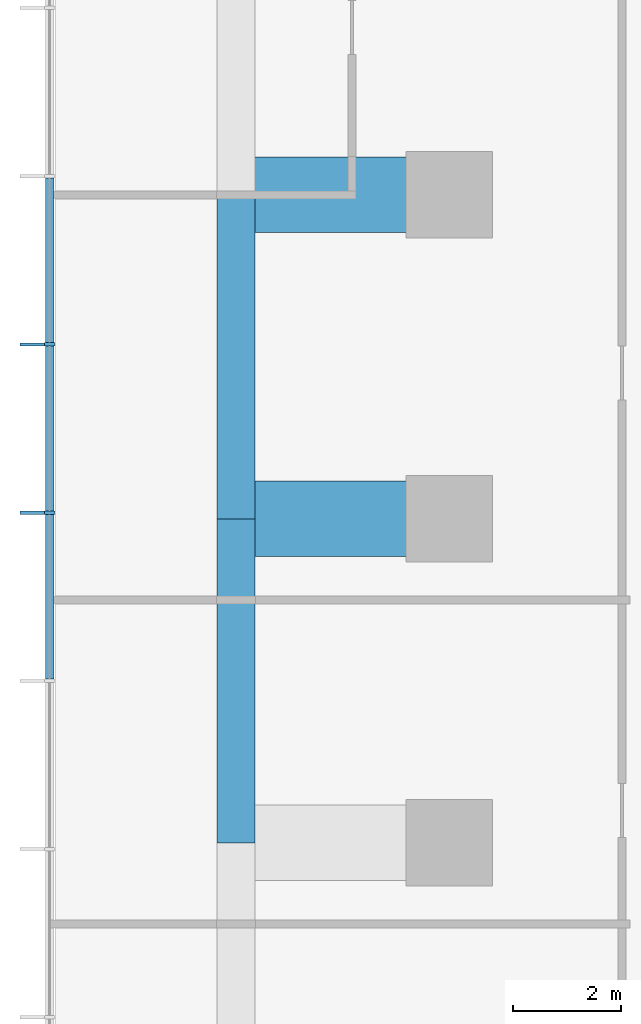
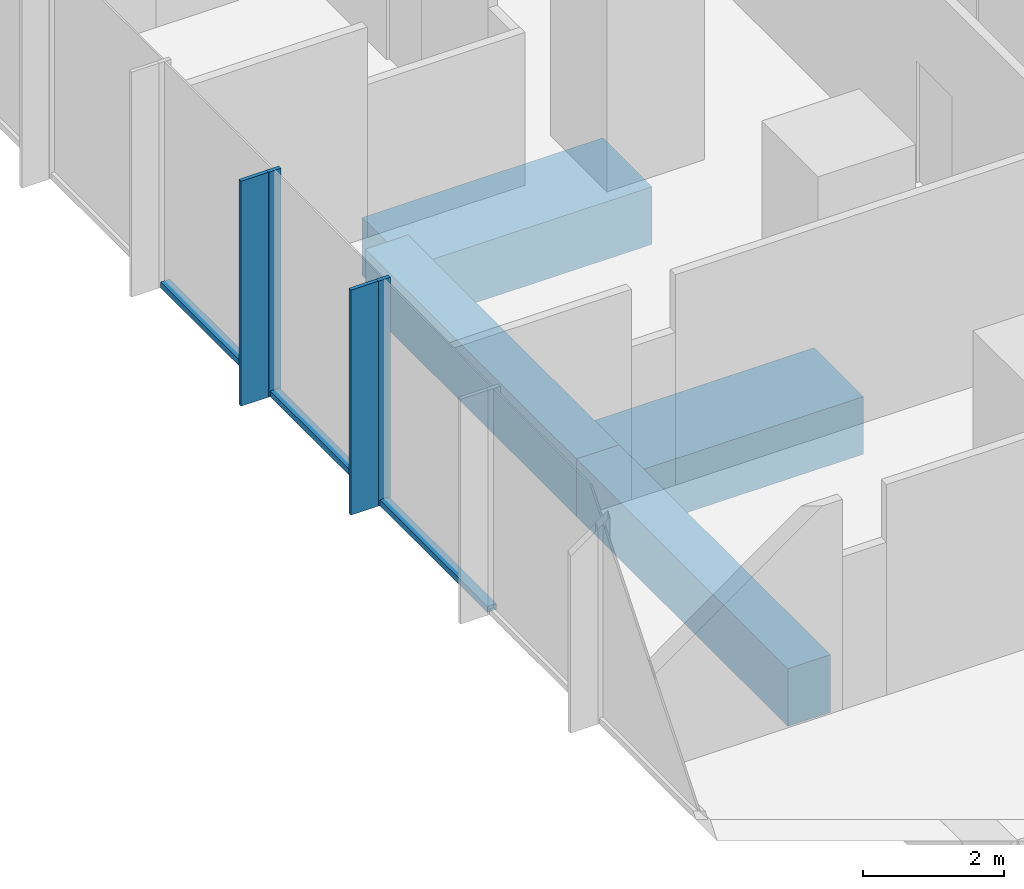
# One storey, part 3 of 11: 7 members, 4 beams, 1 element without a shape of its own.
"""IFC4 building model written with IfcOpenShell, lengths in metres."""

from ifc_helpers import new_model, si_unit, direction, frame, origin, origin_2d, place, context, subcontext, project, spatial, rectangle, extrude, material, layer, layer_set, material_profile, profile_set, type_object, element, aggregate, save


model = new_model("IFC4")

# Units and contexts
model_context = context("Model", 3, precision=1e-05, world=origin(), true_north=direction((0.0, 1.0)))
body_context = subcontext(model_context, "Body", "Model", "MODEL_VIEW")
ifc_project = project(units=[si_unit("LENGTHUNIT", "METRE"), si_unit("AREAUNIT", "SQUARE_METRE"), si_unit("VOLUMEUNIT", "CUBIC_METRE"), si_unit("PLANEANGLEUNIT", "RADIAN"), si_unit("MASSUNIT", "GRAM", prefix="KILO")], contexts=[model_context])

# Site, building, storey
site_placement = place(None, origin())
site = spatial("IfcSite", under=ifc_project, at=site_placement, CompositionType="ELEMENT")
building_placement = place(site_placement, origin())
building = spatial("IfcBuilding", under=site, at=building_placement, Name="Highveld Stack Headquarters", CompositionType="ELEMENT")
storey_placement = place(building_placement, frame((0.0, 0.0, 192.800048828125)))
storey = spatial("IfcBuildingStorey", under=building, at=storey_placement, Name="L47", CompositionType="ELEMENT", Elevation=192.800048828125)

# Beams
ifc_material_1 = material(Name="Concrete C60/75", Category="concrete")
ifc_material_profile_1 = material_profile(ifc_material_1, rectangle(XDim=1.39990234375, YDim=1.0, at=origin_2d()), Name="RC 1400x1000")
ifc_profile_set_1 = profile_set([ifc_material_profile_1], Name="Concrete C60/75")
beam_type_1 = type_object("IfcBeamType", Name="CANTILEVER RIB RC 1400x1000", PredefinedType="USERDEFINED", material=ifc_profile_set_1)
for number, where, z_axis, x_axis, name in (
    (1, (-12.0, 12.0, -0.75), (-1.0, 0.0, 0.0), (0.0, -1.0, 0.0), "Cantilever rib 4/G L47"),
    (2, (-12.0, 18.0, -0.75), (-1.0, 0.0, 0.0), (0.0, -1.0, 0.0), "Cantilever rib 4/H L47"),
):
    element("IfcBeam", number, at=place(storey_placement, frame(where, z_axis=z_axis, x_axis=x_axis)), inside=storey, type_object=beam_type_1, Name=name, ObjectType="CANTILEVER RIB", PredefinedType="USERDEFINED", context=body_context, shape_type="SweptSolid", body=[
        extrude(rectangle(XDim=1.39990234375, YDim=1.0, at=origin_2d()), origin(), (0.0, 0.0, 1.0), 3.949951171875),
    ])

# Curtain wall, members
ifc_material_2 = material(Name="Aluminium bronze anodised", Category="aluminium")
ifc_layer = layer(ifc_material_2, 0.199951171875)
ifc_layer_set = layer_set([ifc_layer], Name="Aluminium bronze anodised")
curtain_wall_type = type_object("IfcCurtainWallType", Name="CW1 TOWER UNITISED CURTAIN WALL", PredefinedType="NOTDEFINED", material=ifc_layer_set)
curtain_wall_placement = place(storey_placement, origin())
curtain_wall = element("IfcCurtainWall", 3, at=curtain_wall_placement, inside=storey, type_object=curtain_wall_type, Name="Curtain wall CW1 L47 W", PredefinedType="NOTDEFINED")
ifc_material_3 = material(Name="Aluminium bronze anodised", Category="aluminium")
ifc_material_profile_2 = material_profile(ifc_material_3, rectangle(XDim=0.449951171875, YDim=0.06005859375, at=origin_2d()), Name="FIN 450x60")
ifc_profile_set_2 = profile_set([ifc_material_profile_2], Name="Aluminium bronze anodised")
member_type_1 = type_object("IfcMemberType", Name="CW1 BRONZE FIN 450x60", PredefinedType="USERDEFINED", material=ifc_profile_set_2)
member_1_placement = place(storey_placement, frame((-19.72509765625, 15.23193359375, 0.0), z_axis=(0.0, 0.0, 1.0), x_axis=(1.0, 0.0, 0.0)))
member_1 = element("IfcMember", 4, at=member_1_placement, type_object=member_type_1, Name="CW1 fin L47 4", ObjectType="FIN", PredefinedType="USERDEFINED", context=body_context, shape_type="SweptSolid", body=[
    extrude(rectangle(XDim=0.449951171875, YDim=0.06005859375, at=origin_2d()), origin(), (0.0, 0.0, 1.0), 3.89990234375),
])
member_2_placement = place(storey_placement, frame((-19.72509765625, 12.115966796875, 0.0), z_axis=(0.0, 0.0, 1.0), x_axis=(1.0, 0.0, 0.0)))
member_2 = element("IfcMember", 5, at=member_2_placement, type_object=member_type_1, Name="CW1 fin L47 5", ObjectType="FIN", PredefinedType="USERDEFINED", context=body_context, shape_type="SweptSolid", body=[
    extrude(rectangle(XDim=0.449951171875, YDim=0.06005859375, at=origin_2d()), origin(), (0.0, 0.0, 1.0), 3.89990234375),
])
ifc_material_4 = material(Name="Aluminium bronze anodised", Category="aluminium")
ifc_material_profile_3 = material_profile(ifc_material_4, rectangle(XDim=0.199951171875, YDim=0.06494140625, at=origin_2d()), Name="CW1 MULLION 65x200")
ifc_profile_set_3 = profile_set([ifc_material_profile_3], Name="Aluminium bronze anodised")
member_type_2 = type_object("IfcMemberType", Name="CW1 MULLION 65x200", PredefinedType="MULLION", material=ifc_profile_set_3)
member_3_placement = place(storey_placement, frame((-19.39990234375, 15.23193359375, 0.0), z_axis=(0.0, 0.0, 1.0), x_axis=(1.0, 0.0, 0.0)))
member_3 = element("IfcMember", 6, at=member_3_placement, type_object=member_type_2, Name="CW1 mullion L47 4", PredefinedType="MULLION", context=body_context, shape_type="SweptSolid", body=[
    extrude(rectangle(XDim=0.199951171875, YDim=0.06494140625, at=origin_2d()), origin(), (0.0, 0.0, 1.0), 3.89990234375),
])
member_4_placement = place(storey_placement, frame((-19.39990234375, 12.115966796875, 0.0), z_axis=(0.0, 0.0, 1.0), x_axis=(1.0, 0.0, 0.0)))
member_4 = element("IfcMember", 7, at=member_4_placement, type_object=member_type_2, Name="CW1 mullion L47 5", PredefinedType="MULLION", context=body_context, shape_type="SweptSolid", body=[
    extrude(rectangle(XDim=0.199951171875, YDim=0.06494140625, at=origin_2d()), origin(), (0.0, 0.0, 1.0), 3.89990234375),
])
ifc_material_5 = material(Name="Aluminium bronze anodised", Category="aluminium")
ifc_material_profile_4 = material_profile(ifc_material_5, rectangle(XDim=0.14990234375, YDim=0.10009765625, at=origin_2d()), Name="CW1 TRANSOM 150x100")
ifc_profile_set_4 = profile_set([ifc_material_profile_4], Name="Aluminium bronze anodised")
member_type_3 = type_object("IfcMemberType", Name="CW1 STACK TRANSOM 150x100", PredefinedType="USERDEFINED", material=ifc_profile_set_4)
member_5_placement = place(storey_placement, frame((-19.39990234375, 18.3154296875, 0.050048828125), z_axis=(0.0, -1.0, 0.0), x_axis=(1.0, 0.0, 0.0)))
member_5 = element("IfcMember", 8, at=member_5_placement, type_object=member_type_3, Name="CW1 transom L47 3.1", ObjectType="TRANSOM", PredefinedType="USERDEFINED", context=body_context, shape_type="SweptSolid", body=[
    extrude(rectangle(XDim=0.14990234375, YDim=0.10009765625, at=origin_2d()), origin(), (0.0, 0.0, 1.0), 3.051025390625),
])
member_6_placement = place(storey_placement, frame((-19.39990234375, 15.199462890625, 0.050048828125), z_axis=(0.0, -1.0, 0.0), x_axis=(1.0, 0.0, 0.0)))
member_6 = element("IfcMember", 9, at=member_6_placement, type_object=member_type_3, Name="CW1 transom L47 4.1", ObjectType="TRANSOM", PredefinedType="USERDEFINED", context=body_context, shape_type="SweptSolid", body=[
    extrude(rectangle(XDim=0.14990234375, YDim=0.10009765625, at=origin_2d()), origin(), (0.0, 0.0, 1.0), 3.051025390625),
])
member_7_placement = place(storey_placement, frame((-19.39990234375, 12.08349609375, 0.050048828125), z_axis=(0.0, -1.0, 0.0), x_axis=(1.0, 0.0, 0.0)))
member_7 = element("IfcMember", 10, at=member_7_placement, type_object=member_type_3, Name="CW1 transom L47 5.1", ObjectType="TRANSOM", PredefinedType="USERDEFINED", context=body_context, shape_type="SweptSolid", body=[
    extrude(rectangle(XDim=0.14990234375, YDim=0.10009765625, at=origin_2d()), origin(), (0.0, 0.0, 1.0), 3.051025390625),
])
aggregate(curtain_wall, [member_3, member_1, member_4, member_2, member_5, member_6, member_7])

# Beams
ifc_material_6 = material(Name="Concrete C60/75", Category="concrete")
ifc_material_profile_5 = material_profile(ifc_material_6, rectangle(XDim=0.699951171875, YDim=1.0, at=origin_2d()), Name="RC 700x1000")
ifc_profile_set_5 = profile_set([ifc_material_profile_5], Name="Concrete C60/75")
beam_type_2 = type_object("IfcBeamType", Name="RIB TIP BEAM RC 700x1000", PredefinedType="SPANDREL", material=ifc_profile_set_5)
for number, where, z_axis, x_axis, name in (
    (11, (-15.949951171875, 6.0, -0.75), (0.0, 1.0, 0.0), (-1.0, 0.0, 0.0), "Rib tip beam 4/F to 4/G L47"),
    (12, (-15.949951171875, 12.0, -0.75), (0.0, 1.0, 0.0), (-1.0, 0.0, 0.0), "Rib tip beam 4/G to 4/H L47"),
):
    element("IfcBeam", number, at=place(storey_placement, frame(where, z_axis=z_axis, x_axis=x_axis)), inside=storey, type_object=beam_type_2, Name=name, PredefinedType="SPANDREL", context=body_context, shape_type="SweptSolid", body=[
        extrude(rectangle(XDim=0.699951171875, YDim=1.0, at=origin_2d()), origin(), (0.0, 0.0, 1.0), 6.0),
    ])

save(model, "model.ifc")
